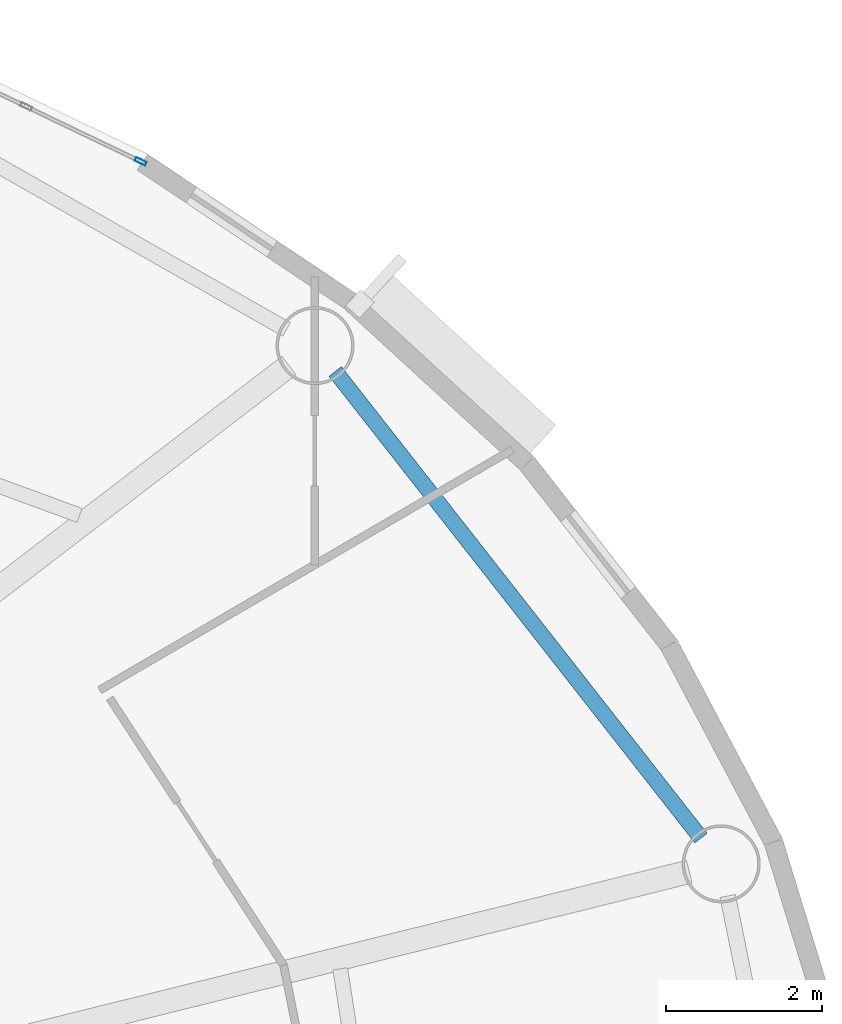
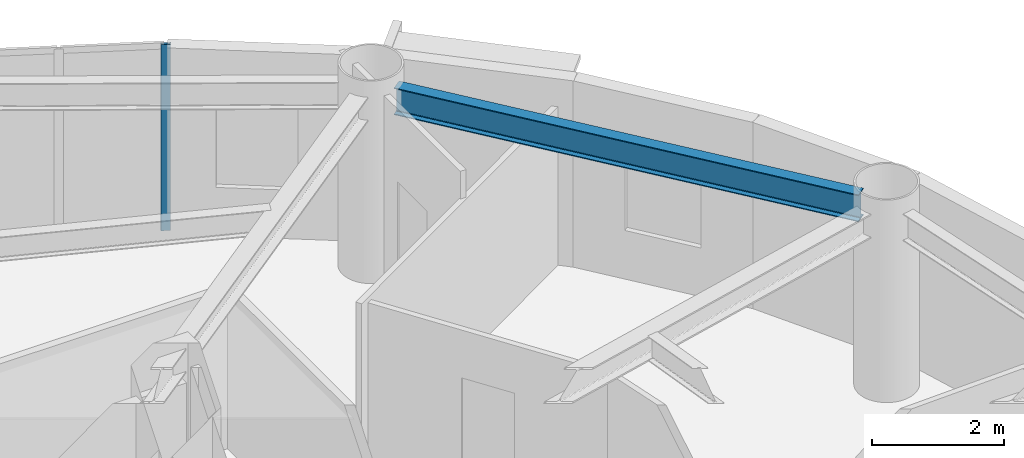
# One storey, part 3 of 17: 1 beam, 1 member, 1 element without a shape of its own.
"""IFC4 building model written with IfcOpenShell, lengths in metres."""

from ifc_helpers import new_model, si_unit, direction, frame, origin, origin_2d, place, context, subcontext, project, spatial, hollow_rectangle, i_section, extrude, source, transform, mapped, material, layer, layer_set, material_profile, profile_set, type_object, element, aggregate, save


model = new_model("IFC4")

# Units and contexts
model_context = context("Model", 3, precision=1e-05, world=origin(), true_north=direction((0.0, 1.0)))
body_context = subcontext(model_context, "Body", "Model", "MODEL_VIEW")
ifc_project = project(units=[si_unit("LENGTHUNIT", "METRE"), si_unit("AREAUNIT", "SQUARE_METRE"), si_unit("VOLUMEUNIT", "CUBIC_METRE"), si_unit("PLANEANGLEUNIT", "RADIAN"), si_unit("MASSUNIT", "GRAM", prefix="KILO")], contexts=[model_context])

# Site, building, storey
site_placement = place(None, origin())
site = spatial("IfcSite", under=ifc_project, at=site_placement, CompositionType="ELEMENT")
building_placement = place(site_placement, origin())
building = spatial("IfcBuilding", under=site, at=building_placement, Name="Linh Dai School and Residence Tower", CompositionType="ELEMENT")
storey_placement = place(building_placement, frame((0.0, 0.0, 314.25)))
storey = spatial("IfcBuildingStorey", under=building, at=storey_placement, Name="L78", CompositionType="ELEMENT", Elevation=314.25)

# Beam
ifc_material_1 = material(Name="Structural Steel S355JR", Category="steel")
ifc_material_profile_1 = material_profile(ifc_material_1, i_section(OverallWidth=0.199951171875, OverallDepth=0.5, WebThickness=0.01025390625, FlangeThickness=0.01611328125, FilletRadius=0.02099609375, at=origin_2d()), Name="IPE 500")
ifc_profile_set_1 = profile_set([ifc_material_profile_1], Name="Structural Steel S355JR")
beam_type = type_object("IfcBeamType", Name="BM-RB50", PredefinedType="BEAM", material=ifc_profile_set_1)
beam_placement = place(storey_placement, frame((56.259521484375, 32.425048828125, 3.199951171875), z_axis=(-0.616882739554, 0.787055071542, 0.0), x_axis=(-0.787055071542, -0.616882739554, 0.0)))
element("IfcBeam", 1, at=beam_placement, inside=storey, type_object=beam_type, Name="L78 Perimeter Elliptical Ring Beam 02", PredefinedType="BEAM", context=body_context, shape_type="SweptSolid", body=[
    extrude(i_section(OverallWidth=0.199951171875, OverallDepth=0.5, WebThickness=0.01025390625, FlangeThickness=0.01611328125, FilletRadius=0.02099609375, at=origin_2d()), origin(), (0.0, 0.0, 1.0), 7.59521484375),
])

# Curtain wall, member
ifc_material_2 = material(Name="Aluminium Anodised Curtain Wall", Category="aluminium")
ifc_layer = layer(ifc_material_2, 0.14990234375)
ifc_layer_set = layer_set([ifc_layer], Name="Aluminium Anodised Curtain Wall")
curtain_wall_type = type_object("IfcCurtainWallType", Name="CW-SYS-4", PredefinedType="USERDEFINED", material=ifc_layer_set)
curtain_wall_placement = place(storey_placement, origin())
curtain_wall = element("IfcCurtainWall", 2, at=curtain_wall_placement, inside=storey, type_object=curtain_wall_type, Name="L78 CW4 Curtain Wall 07", ObjectType="RIBBON CURTAIN WALL", PredefinedType="USERDEFINED")
ifc_material_3 = material(Name="Aluminium Alloy 6063-T6", Category="aluminium")
ifc_material_profile_2 = material_profile(ifc_material_3, hollow_rectangle(XDim=0.052001953125, YDim=0.14990234375, WallThickness=0.00390625, at=origin_2d()), Name="RHS 150x52x4")
ifc_profile_set_2 = profile_set([ifc_material_profile_2], Name="Aluminium Alloy 6063-T6")
member_type = type_object("IfcMemberType", Name="CW-SYS-4-MUL", PredefinedType="MULLION", material=ifc_profile_set_2)
shared_shape = source(origin(), body_context, "Body", "SweptSolid", [
    extrude(hollow_rectangle(XDim=0.052001953125, YDim=0.14990234375, WallThickness=0.00390625, at=origin_2d()), origin(), (0.0, 0.0, 1.0), 3.449951171875),
])
member_placement = place(storey_placement, frame((49.0810546875, 41.0927734375, 0.0), z_axis=(0.0, 0.0, 1.0), x_axis=(0.432611916456, 0.901580240323, 0.0)))
member = element("IfcMember", 3, at=member_placement, type_object=member_type, Name="CW4 mullion 3", PredefinedType="MULLION", context=body_context, shape_type="MappedRepresentation", body=[
    mapped(shared_shape, transform((0.0, 0.0, 0.0), x_axis=(1.0, 0.0, 0.0), y_axis=(0.0, 1.0, 0.0), z_axis=(0.0, 0.0, 1.0), scale=1.0)),
])
aggregate(curtain_wall, [member])

save(model, "model.ifc")
